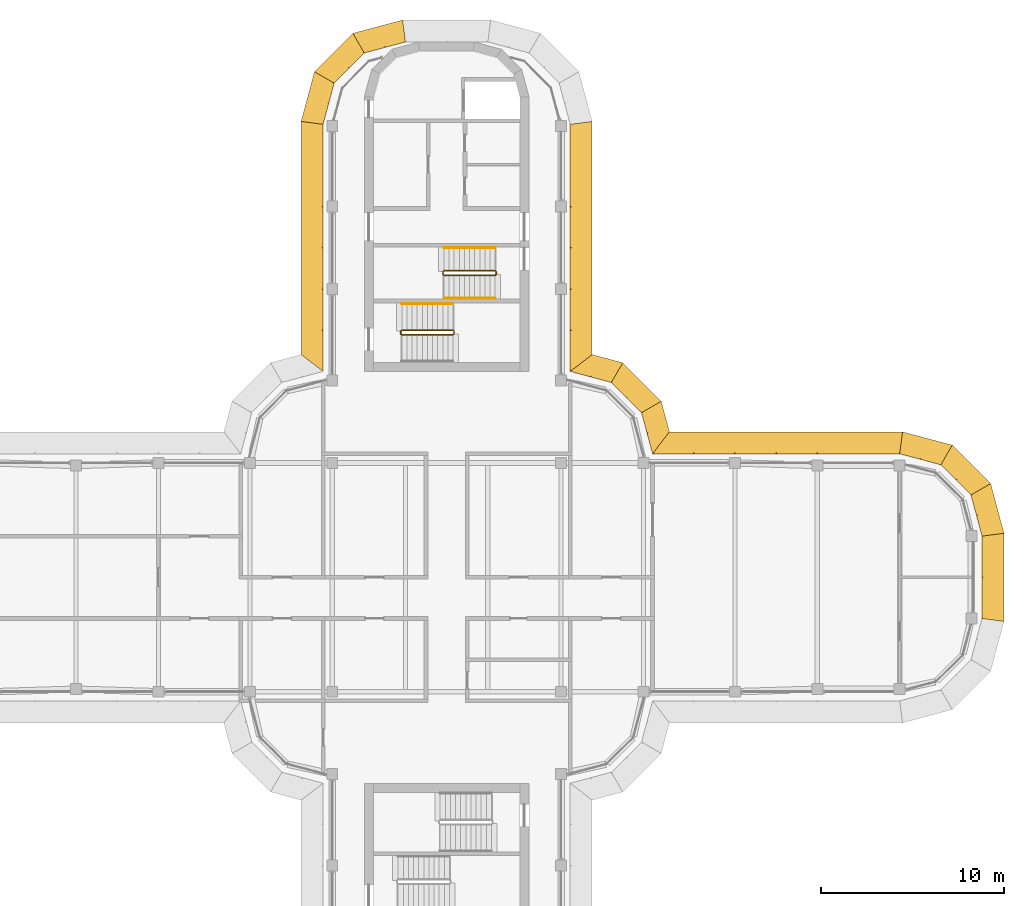
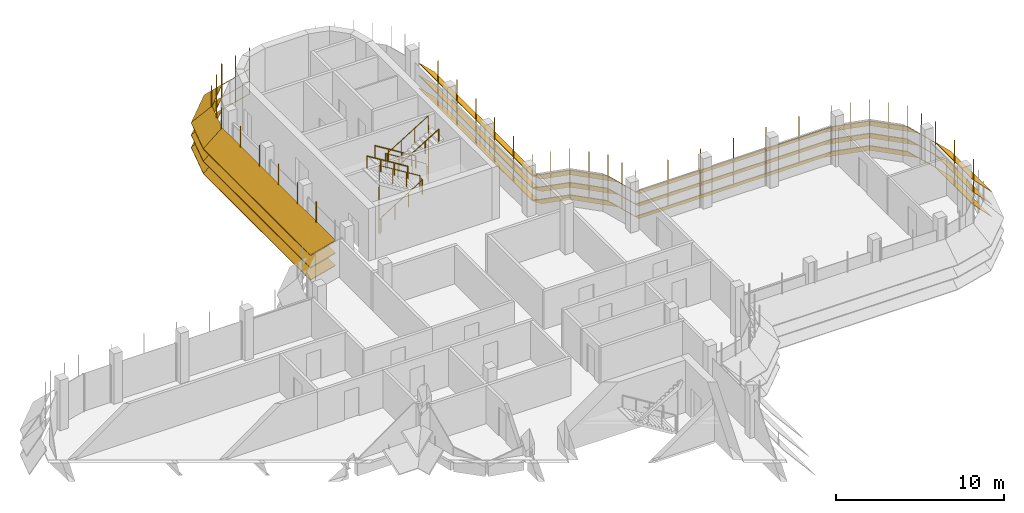
# One storey, part 18 of 19: 7 shading devices, 5 railings.
"""IFC4 building model written with IfcOpenShell, lengths in metres."""

from ifc_helpers import new_model, si_unit, direction, frame, origin, origin_2d, place, context, subcontext, project, spatial, polyline, circle, outline, extrude, faceted_brep, source, transform, mapped, material, type_object, element, save


model = new_model("IFC4")

# Units and contexts
model_context = context("Model", 3, precision=1e-05, world=origin(), true_north=direction((0.0, 1.0)))
body_context = subcontext(model_context, "Body", "Model", "MODEL_VIEW")
ifc_project = project(units=[si_unit("LENGTHUNIT", "METRE"), si_unit("AREAUNIT", "SQUARE_METRE"), si_unit("VOLUMEUNIT", "CUBIC_METRE"), si_unit("PLANEANGLEUNIT", "RADIAN"), si_unit("MASSUNIT", "GRAM", prefix="KILO")], contexts=[model_context])

# Site, building, storey
site_placement = place(None, origin())
site = spatial("IfcSite", under=ifc_project, at=site_placement, CompositionType="ELEMENT")
building_placement = place(site_placement, origin())
building = spatial("IfcBuilding", under=site, at=building_placement, Name="Zarbagh Exchange Tower", CompositionType="ELEMENT")
storey_placement = place(building_placement, frame((0.0, 0.0, 280.199951171875)))
storey = spatial("IfcBuildingStorey", under=building, at=storey_placement, Name="L69", CompositionType="ELEMENT", Elevation=280.199951171875)

# Railings
ifc_material_1 = material(Name="Stainless steel", Category="steel")
railing_type_1 = type_object("IfcRailingType", Name="Stair guard 1100 mm", PredefinedType="GUARDRAIL", material=ifc_material_1)
railing_1_placement = place(storey_placement, frame((2.64990234375, 16.75, 0.1728515625)))
element("IfcRailing", 1, at=railing_1_placement, inside=storey, type_object=railing_type_1, Name="ST1 stair guard 1", PredefinedType="GUARDRAIL", context=body_context, shape_type="SweptSolid", body=[
    extrude(circle(Radius=0.02392578125, at=origin_2d()), frame((0.0, 0.0, 1.076171875), z_axis=(-0.851069175582, 0.0, 0.525053576669), x_axis=(0.0, -1.0, 0.0)), (0.0, 0.0, 1.0), 3.289794921875),
    extrude(circle(Radius=0.02392578125, at=origin_2d()), frame((-2.7998046875, 0.0, 2.80322265625), z_axis=(-0.707106781187, -0.707106781187, 0.0), x_axis=(0.707106781187, -0.707106781187, 0.0)), (0.0, 0.0, 1.0), 0.07080078125),
    extrude(circle(Radius=0.02392578125, at=origin_2d()), frame((-2.849853515625, -0.050048828125, 2.80322265625), z_axis=(0.0, -1.0, 0.0), x_axis=(1.0, 0.0, 0.0)), (0.0, 0.0, 1.0), 0.14990234375),
    extrude(circle(Radius=0.02392578125, at=origin_2d()), frame((-2.849853515625, -0.199951171875, 2.80322265625), z_axis=(0.268277960024, -0.268277960024, 0.925231793839), x_axis=(0.707106781187, 0.707106781187, 0.0)), (0.0, 0.0, 1.0), 0.1865234375),
    extrude(circle(Radius=0.02392578125, at=origin_2d()), frame((-2.7998046875, -0.25, 2.97607421875), z_axis=(0.851069175582, 0.0, 0.525053576669), x_axis=(0.0, 1.0, 0.0)), (0.0, 0.0, 1.0), 3.289794921875),
    extrude(circle(Radius=0.02392578125, at=origin_2d()), frame((0.0, -0.25, 4.703125), z_axis=(0.013168290981, 0.013168290981, -0.999826581076), x_axis=(-0.707106781187, 0.707106781187, 0.0)), (0.0, 0.0, 1.0), 3.80078125),
    extrude(circle(Radius=0.02392578125, at=origin_2d()), frame((0.050048828125, -0.199951171875, 0.9033203125), z_axis=(0.0, 1.0, 0.0), x_axis=(-1.0, 0.0, 0.0)), (0.0, 0.0, 1.0), 0.14990234375),
    extrude(circle(Radius=0.02099609375, at=origin_2d()), origin(), (0.0, 0.0, 1.0), 1.052001953125),
    extrude(circle(Radius=0.02099609375, at=origin_2d()), frame((-0.933349609375, 0.0, 0.57568359375)), (0.0, 0.0, 1.0), 1.052001953125),
    extrude(circle(Radius=0.02099609375, at=origin_2d()), frame((-1.866455078125, 0.0, 1.151611328125)), (0.0, 0.0, 1.0), 1.052001953125),
    extrude(circle(Radius=0.02099609375, at=origin_2d()), frame((-2.7998046875, 0.0, 1.727294921875)), (0.0, 0.0, 1.0), 1.052001953125),
    extrude(circle(Radius=0.02099609375, at=origin_2d()), frame((-2.849853515625, -0.050048828125, 1.727294921875)), (0.0, 0.0, 1.0), 1.052001953125),
    extrude(circle(Radius=0.02099609375, at=origin_2d()), frame((-2.849853515625, -0.199951171875, 1.727294921875)), (0.0, 0.0, 1.0), 1.052001953125),
    extrude(circle(Radius=0.02099609375, at=origin_2d()), frame((-2.7998046875, -0.25, 1.89990234375)), (0.0, 0.0, 1.0), 1.052001953125),
    extrude(circle(Radius=0.02099609375, at=origin_2d()), frame((-1.866455078125, -0.25, 2.4755859375)), (0.0, 0.0, 1.0), 1.052001953125),
    extrude(circle(Radius=0.02099609375, at=origin_2d()), frame((-0.933349609375, -0.25, 3.051513671875)), (0.0, 0.0, 1.0), 1.052001953125),
    extrude(circle(Radius=0.02099609375, at=origin_2d()), frame((0.0, -0.25, 3.627197265625)), (0.0, 0.0, 1.0), 1.052001953125),
    extrude(circle(Radius=0.02099609375, at=origin_2d()), frame((0.012451171875, -0.237548828125, 2.67724609375)), (0.0, 0.0, 1.0), 1.052001953125),
    extrude(circle(Radius=0.02099609375, at=origin_2d()), frame((0.02490234375, -0.22509765625, 1.72705078125)), (0.0, 0.0, 1.0), 1.052001953125),
    extrude(circle(Radius=0.02099609375, at=origin_2d()), frame((0.03759765625, -0.21240234375, 0.777099609375)), (0.0, 0.0, 1.0), 1.052001953125),
    extrude(circle(Radius=0.02099609375, at=origin_2d()), frame((0.050048828125, -0.199951171875, -0.1728515625)), (0.0, 0.0, 1.0), 1.052001953125),
    extrude(circle(Radius=0.02099609375, at=origin_2d()), frame((0.050048828125, -0.050048828125, -0.1728515625)), (0.0, 0.0, 1.0), 1.052001953125),
])
railing_2_placement = place(storey_placement, frame((0.35009765625, 13.5, 2.07275390625)))
element("IfcRailing", 2, at=railing_2_placement, inside=storey, type_object=railing_type_1, Name="ST2 stair guard 1", PredefinedType="GUARDRAIL", context=body_context, shape_type="SweptSolid", body=[
    extrude(circle(Radius=0.02392578125, at=origin_2d()), frame((0.0, 0.0, 1.076171875), z_axis=(-0.851089632645, 0.0, 0.525020415988), x_axis=(0.0, -1.0, 0.0)), (0.0, 0.0, 1.0), 3.2900390625),
    extrude(circle(Radius=0.02392578125, at=origin_2d()), frame((-2.800048828125, 0.0, 2.80322265625), z_axis=(-0.013168290981, -0.013168290981, -0.999826581076), x_axis=(0.707106781187, -0.707106781187, 0.0)), (0.0, 0.0, 1.0), 3.80078125),
    extrude(circle(Radius=0.02392578125, at=origin_2d()), frame((-2.85009765625, -0.050048828125, -0.99658203125), z_axis=(0.0, -1.0, 0.0), x_axis=(1.0, 0.0, 0.0)), (0.0, 0.0, 1.0), 0.14990234375),
    extrude(circle(Radius=0.02392578125, at=origin_2d()), frame((-2.85009765625, -0.199951171875, -0.99658203125), z_axis=(0.267953482034, -0.267953482034, 0.925419830635), x_axis=(0.707106781187, 0.707106781187, 0.0)), (0.0, 0.0, 1.0), 0.186767578125),
    extrude(circle(Radius=0.02392578125, at=origin_2d()), frame((-2.800048828125, -0.25, -0.82373046875), z_axis=(0.851089632645, 0.0, 0.525020415988), x_axis=(0.0, 1.0, 0.0)), (0.0, 0.0, 1.0), 3.2900390625),
    extrude(circle(Radius=0.02392578125, at=origin_2d()), frame((0.0, -0.25, 0.9033203125), z_axis=(0.705375805398, 0.708833529934, 0.0), x_axis=(-0.708833529934, 0.705375805398, 0.0)), (0.0, 0.0, 1.0), 0.070556640625),
    extrude(circle(Radius=0.02392578125, at=origin_2d()), frame((0.0498046875, -0.199951171875, 0.9033203125), z_axis=(0.0, 1.0, 0.0), x_axis=(-1.0, 0.0, 0.0)), (0.0, 0.0, 1.0), 0.14990234375),
    extrude(circle(Radius=0.02099609375, at=origin_2d()), origin(), (0.0, 0.0, 1.0), 1.052001953125),
    extrude(circle(Radius=0.02099609375, at=origin_2d()), frame((-0.933349609375, 0.0, 0.57568359375)), (0.0, 0.0, 1.0), 1.052001953125),
    extrude(circle(Radius=0.02099609375, at=origin_2d()), frame((-1.86669921875, 0.0, 1.151611328125)), (0.0, 0.0, 1.0), 1.052001953125),
    extrude(circle(Radius=0.02099609375, at=origin_2d()), frame((-2.800048828125, 0.0, 1.727294921875)), (0.0, 0.0, 1.0), 1.052001953125),
    extrude(circle(Radius=0.02099609375, at=origin_2d()), frame((-2.8125, -0.012451171875, 0.77734375)), (0.0, 0.0, 1.0), 1.052001953125),
    extrude(circle(Radius=0.02099609375, at=origin_2d()), frame((-2.8251953125, -0.02490234375, -0.1728515625)), (0.0, 0.0, 1.0), 1.052001953125),
    extrude(circle(Radius=0.02099609375, at=origin_2d()), frame((-2.837646484375, -0.03759765625, -1.122802734375)), (0.0, 0.0, 1.0), 1.052001953125),
    extrude(circle(Radius=0.02099609375, at=origin_2d()), frame((-2.85009765625, -0.050048828125, -2.07275390625)), (0.0, 0.0, 1.0), 1.052001953125),
    extrude(circle(Radius=0.02099609375, at=origin_2d()), frame((-2.85009765625, -0.199951171875, -2.07275390625)), (0.0, 0.0, 1.0), 1.052001953125),
    extrude(circle(Radius=0.02099609375, at=origin_2d()), frame((-2.800048828125, -0.25, -1.89990234375)), (0.0, 0.0, 1.0), 1.052001953125),
    extrude(circle(Radius=0.02099609375, at=origin_2d()), frame((-1.86669921875, -0.25, -1.32421875)), (0.0, 0.0, 1.0), 1.052001953125),
    extrude(circle(Radius=0.02099609375, at=origin_2d()), frame((-0.933349609375, -0.25, -0.748291015625)), (0.0, 0.0, 1.0), 1.052001953125),
    extrude(circle(Radius=0.02099609375, at=origin_2d()), frame((0.0, -0.25, -0.172607421875)), (0.0, 0.0, 1.0), 1.052001953125),
    extrude(circle(Radius=0.02099609375, at=origin_2d()), frame((0.0498046875, -0.199951171875, -0.172607421875)), (0.0, 0.0, 1.0), 1.052001953125),
    extrude(circle(Radius=0.02099609375, at=origin_2d()), frame((0.0498046875, -0.050048828125, -0.172607421875)), (0.0, 0.0, 1.0), 1.052001953125),
])
railing_type_2 = type_object("IfcRailingType", Name="Stair handrail 900 mm", PredefinedType="HANDRAIL", material=ifc_material_1)
railing_3_placement = place(storey_placement, frame((2.64990234375, 18.0, 0.1728515625)))
element("IfcRailing", 3, at=railing_3_placement, inside=storey, type_object=railing_type_2, Name="ST1 stair handrail 1", PredefinedType="HANDRAIL", context=body_context, shape_type="SweptSolid", body=[
    extrude(circle(Radius=0.02392578125, at=origin_2d()), frame((0.0, 0.0, 0.8759765625), z_axis=(-0.851069175582, 0.0, 0.525053576669), x_axis=(0.0, -1.0, 0.0)), (0.0, 0.0, 1.0), 3.289794921875),
    extrude(circle(Radius=0.02099609375, at=origin_2d()), origin(), (0.0, 0.0, 1.0), 0.851806640625),
    extrude(circle(Radius=0.02099609375, at=origin_2d()), frame((-0.933349609375, 0.0, 0.57568359375)), (0.0, 0.0, 1.0), 0.851806640625),
    extrude(circle(Radius=0.02099609375, at=origin_2d()), frame((-1.866455078125, 0.0, 1.151611328125)), (0.0, 0.0, 1.0), 0.851806640625),
    extrude(circle(Radius=0.02099609375, at=origin_2d()), frame((-2.7998046875, 0.0, 1.727294921875)), (0.0, 0.0, 1.0), 0.851806640625),
])
railing_4_placement = place(storey_placement, frame((-0.14990234375, 15.25, 2.07275390625)))
element("IfcRailing", 4, at=railing_4_placement, inside=storey, type_object=railing_type_2, Name="ST1 stair handrail 2", PredefinedType="HANDRAIL", context=body_context, shape_type="SweptSolid", body=[
    extrude(circle(Radius=0.02392578125, at=origin_2d()), frame((0.0, 0.0, 0.8759765625), z_axis=(0.851069175582, 0.0, 0.525053576669), x_axis=(0.0, 1.0, 0.0)), (0.0, 0.0, 1.0), 3.289794921875),
    extrude(circle(Radius=0.02099609375, at=origin_2d()), origin(), (0.0, 0.0, 1.0), 0.851806640625),
    extrude(circle(Radius=0.02099609375, at=origin_2d()), frame((0.933349609375, 0.0, 0.57568359375)), (0.0, 0.0, 1.0), 0.851806640625),
    extrude(circle(Radius=0.02099609375, at=origin_2d()), frame((1.866455078125, 0.0, 1.151611328125)), (0.0, 0.0, 1.0), 0.851806640625),
    extrude(circle(Radius=0.02099609375, at=origin_2d()), frame((2.7998046875, 0.0, 1.727294921875)), (0.0, 0.0, 1.0), 0.851806640625),
])
railing_5_placement = place(storey_placement, frame((0.35009765625, 14.949951171875, 2.07275390625)))
element("IfcRailing", 5, at=railing_5_placement, inside=storey, type_object=railing_type_2, Name="ST2 stair handrail 2", PredefinedType="HANDRAIL", context=body_context, shape_type="SweptSolid", body=[
    extrude(circle(Radius=0.02392578125, at=origin_2d()), frame((0.0, 0.0, 0.8759765625), z_axis=(-0.851089632645, 0.0, 0.525020415988), x_axis=(0.0, -1.0, 0.0)), (0.0, 0.0, 1.0), 3.2900390625),
    extrude(circle(Radius=0.02099609375, at=origin_2d()), origin(), (0.0, 0.0, 1.0), 0.851806640625),
    extrude(circle(Radius=0.02099609375, at=origin_2d()), frame((-0.933349609375, 0.0, 0.57568359375)), (0.0, 0.0, 1.0), 0.851806640625),
    extrude(circle(Radius=0.02099609375, at=origin_2d()), frame((-1.86669921875, 0.0, 1.151611328125)), (0.0, 0.0, 1.0), 0.851806640625),
    extrude(circle(Radius=0.02099609375, at=origin_2d()), frame((-2.800048828125, 0.0, 1.727294921875)), (0.0, 0.0, 1.0), 0.851806640625),
])

# Shading devices
ifc_material_2 = material(Name="Anodised aluminium blades and brackets", Category="aluminium")
shading_device_type = type_object("IfcShadingDeviceType", Name="SUNSHADE louvre band, 45 degree blades", PredefinedType="JALOUSIE", material=ifc_material_2)
shared_shape_1 = source(origin(), body_context, "Body", "Brep", [
    faceted_brep([(0.0, 0.0, 0.0), (0.0, 0.0, -0.056640625), (-0.157958984375, -1.199951171875, -1.256591796875), (-0.157958984375, -1.199951171875, -1.199951171875), (2.65087890625, -1.199951171875, -1.199951171875), (2.65087890625, -1.199951171875, -1.256591796875), (2.329345703125, 0.0, -0.056640625), (2.329345703125, 0.0, 0.0)], [[[0, 1, 2, 3]], [[4, 5, 6, 7]], [[0, 7, 6, 1]], [[1, 6, 5, 2]], [[2, 5, 4, 3]], [[3, 4, 7, 0]]]),
])
shared_shape_2 = source(origin(), body_context, "Body", "Brep", [
    faceted_brep([(0.0, 0.0, 0.0), (0.0, 0.0, -0.056640625), (-0.321533203125, -1.199951171875, -1.256591796875), (-0.321533203125, -1.199951171875, -1.199951171875), (2.65087890625, -1.199951171875, -1.199951171875), (2.65087890625, -1.199951171875, -1.256591796875), (2.329345703125, 0.0, -0.056640625), (2.329345703125, 0.0, 0.0)], [[[0, 1, 2, 3]], [[4, 5, 6, 7]], [[0, 7, 6, 1]], [[1, 6, 5, 2]], [[2, 5, 4, 3]], [[3, 4, 7, 0]]]),
])
shared_shape_3 = source(origin(), body_context, "Body", "Brep", [
    faceted_brep([(0.0, 0.0, 0.0), (0.0, 0.0, -0.056640625), (-0.321533203125, -1.199951171875, -1.256591796875), (-0.321533203125, -1.199951171875, -1.199951171875), (2.4873046875, -1.199951171875, -1.199951171875), (2.4873046875, -1.199951171875, -1.256591796875), (2.329345703125, 0.0, -0.056640625), (2.329345703125, 0.0, 0.0)], [[[0, 1, 2, 3]], [[4, 5, 6, 7]], [[0, 7, 6, 1]], [[1, 6, 5, 2]], [[2, 5, 4, 3]], [[3, 4, 7, 0]]]),
])
shared_shape_4 = source(origin(), body_context, "Body", "SweptSolid", [
    extrude(outline(polyline([(0.0, -0.012451171875), (0.06005859375, -0.012451171875), (0.06005859375, 0.012451171875), (0.0, 0.012451171875), (0.0, -0.012451171875)])), origin(), (0.0, 0.0, 1.0), 3.366455078125),
])
placement = place(storey_placement, origin())
element("IfcShadingDevice", 6, at=placement, inside=storey, type_object=shading_device_type, Name="SS53 sunshade band", PredefinedType="JALOUSIE", context=body_context, shape_type="MappedRepresentation", body=[
    mapped(shared_shape_1, transform((29.25, 2.25, 2.300048828125), x_axis=(-0.258824779902, 0.965924289636, 0.0), y_axis=(-0.965924289636, -0.258824779902, 0.0), z_axis=(0.0, 0.0, 1.0))),
    mapped(shared_shape_1, transform((29.25, 2.25, 1.400146484375), x_axis=(-0.258824779902, 0.965924289636, 0.0), y_axis=(-0.965924289636, -0.258824779902, 0.0), z_axis=(0.0, 0.0, 1.0))),
    mapped(shared_shape_1, transform((29.25, 2.25, 0.5), x_axis=(-0.258824779902, 0.965924289636, 0.0), y_axis=(-0.965924289636, -0.258824779902, 0.0), z_axis=(0.0, 0.0, 1.0))),
    mapped(shared_shape_2, transform((28.647216796875, 4.5, 2.300048828125), x_axis=(-0.707106781187, 0.707106781187, 0.0), y_axis=(-0.707106781187, -0.707106781187, 0.0), z_axis=(0.0, 0.0, 1.0))),
    mapped(shared_shape_2, transform((28.647216796875, 4.5, 1.400146484375), x_axis=(-0.707106781187, 0.707106781187, 0.0), y_axis=(-0.707106781187, -0.707106781187, 0.0), z_axis=(0.0, 0.0, 1.0))),
    mapped(shared_shape_2, transform((28.647216796875, 4.5, 0.5), x_axis=(-0.707106781187, 0.707106781187, 0.0), y_axis=(-0.707106781187, -0.707106781187, 0.0), z_axis=(0.0, 0.0, 1.0))),
    mapped(shared_shape_3, transform((27.0, 6.147216796875, 2.300048828125), x_axis=(-0.965924289636, 0.258824779902, 0.0), y_axis=(-0.258824779902, -0.965924289636, 0.0), z_axis=(0.0, 0.0, 1.0))),
    mapped(shared_shape_3, transform((27.0, 6.147216796875, 1.400146484375), x_axis=(-0.965924289636, 0.258824779902, 0.0), y_axis=(-0.258824779902, -0.965924289636, 0.0), z_axis=(0.0, 0.0, 1.0))),
    mapped(shared_shape_3, transform((27.0, 6.147216796875, 0.5), x_axis=(-0.965924289636, 0.258824779902, 0.0), y_axis=(-0.258824779902, -0.965924289636, 0.0), z_axis=(0.0, 0.0, 1.0))),
    mapped(shared_shape_4, transform((29.25, 2.25, 0.41357421875), x_axis=(0.991444457092, 0.130529263012, 0.0), y_axis=(-0.130529263012, 0.991444457092, 0.0), z_axis=(0.0, 0.0, 1.0))),
    mapped(shared_shape_4, transform((28.948486328125, 3.375, 0.41357421875), x_axis=(0.96592421511, 0.258825058029, 0.0), y_axis=(-0.258825058029, 0.96592421511, 0.0), z_axis=(0.0, 0.0, 1.0))),
    mapped(shared_shape_4, transform((28.647216796875, 4.5, 0.41357421875), x_axis=(0.866023812018, 0.50000275701, 0.0), y_axis=(-0.50000275701, 0.866023812018, 0.0), z_axis=(0.0, 0.0, 1.0))),
    mapped(shared_shape_4, transform((27.823486328125, 5.323486328125, 0.41357421875), x_axis=(0.707106781187, 0.707106781187, 0.0), y_axis=(-0.707106781187, 0.707106781187, 0.0), z_axis=(0.0, 0.0, 1.0))),
    mapped(shared_shape_4, transform((27.0, 6.147216796875, 0.41357421875), x_axis=(0.50000275701, 0.866023812018, 0.0), y_axis=(-0.866023812018, 0.50000275701, 0.0), z_axis=(0.0, 0.0, 1.0))),
    mapped(shared_shape_4, transform((25.875, 6.448486328125, 0.41357421875), x_axis=(0.258825058029, 0.96592421511, 0.0), y_axis=(-0.96592421511, 0.258825058029, 0.0), z_axis=(0.0, 0.0, 1.0))),
])
element("IfcShadingDevice", 7, at=placement, inside=storey, type_object=shading_device_type, Name="SS48 sunshade band", PredefinedType="JALOUSIE", context=body_context, shape_type="MappedRepresentation", body=[
    mapped(shared_shape_1, transform((-2.25, 29.25, 2.300048828125), x_axis=(-0.965924289636, -0.258824779902, 0.0), y_axis=(0.258824779902, -0.965924289636, 0.0), z_axis=(0.0, 0.0, 1.0))),
    mapped(shared_shape_1, transform((-2.25, 29.25, 1.400146484375), x_axis=(-0.965924289636, -0.258824779902, 0.0), y_axis=(0.258824779902, -0.965924289636, 0.0), z_axis=(0.0, 0.0, 1.0))),
    mapped(shared_shape_1, transform((-2.25, 29.25, 0.5), x_axis=(-0.965924289636, -0.258824779902, 0.0), y_axis=(0.258824779902, -0.965924289636, 0.0), z_axis=(0.0, 0.0, 1.0))),
    mapped(shared_shape_2, transform((-4.5, 28.647216796875, 2.300048828125), x_axis=(-0.707106781187, -0.707106781187, 0.0), y_axis=(0.707106781187, -0.707106781187, 0.0), z_axis=(0.0, 0.0, 1.0))),
    mapped(shared_shape_2, transform((-4.5, 28.647216796875, 1.400146484375), x_axis=(-0.707106781187, -0.707106781187, 0.0), y_axis=(0.707106781187, -0.707106781187, 0.0), z_axis=(0.0, 0.0, 1.0))),
    mapped(shared_shape_2, transform((-4.5, 28.647216796875, 0.5), x_axis=(-0.707106781187, -0.707106781187, 0.0), y_axis=(0.707106781187, -0.707106781187, 0.0), z_axis=(0.0, 0.0, 1.0))),
    mapped(shared_shape_3, transform((-6.147216796875, 27.0, 2.300048828125), x_axis=(-0.258824779902, -0.965924289636, 0.0), y_axis=(0.965924289636, -0.258824779902, 0.0), z_axis=(0.0, 0.0, 1.0))),
    mapped(shared_shape_3, transform((-6.147216796875, 27.0, 1.400146484375), x_axis=(-0.258824779902, -0.965924289636, 0.0), y_axis=(0.965924289636, -0.258824779902, 0.0), z_axis=(0.0, 0.0, 1.0))),
    mapped(shared_shape_3, transform((-6.147216796875, 27.0, 0.5), x_axis=(-0.258824779902, -0.965924289636, 0.0), y_axis=(0.965924289636, -0.258824779902, 0.0), z_axis=(0.0, 0.0, 1.0))),
    mapped(shared_shape_4, transform((-2.25, 29.25, 0.41357421875), x_axis=(-0.130529263012, 0.991444457092, 0.0), y_axis=(-0.991444457092, -0.130529263012, 0.0), z_axis=(0.0, 0.0, 1.0))),
    mapped(shared_shape_4, transform((-3.375, 28.948486328125, 0.41357421875), x_axis=(-0.258825058029, 0.96592421511, 0.0), y_axis=(-0.96592421511, -0.258825058029, 0.0), z_axis=(0.0, 0.0, 1.0))),
    mapped(shared_shape_4, transform((-4.5, 28.647216796875, 0.41357421875), x_axis=(-0.50000275701, 0.866023812018, 0.0), y_axis=(-0.866023812018, -0.50000275701, 0.0), z_axis=(0.0, 0.0, 1.0))),
    mapped(shared_shape_4, transform((-5.323486328125, 27.823486328125, 0.41357421875), x_axis=(-0.707106781187, 0.707106781187, 0.0), y_axis=(-0.707106781187, -0.707106781187, 0.0), z_axis=(0.0, 0.0, 1.0))),
    mapped(shared_shape_4, transform((-6.147216796875, 27.0, 0.41357421875), x_axis=(-0.866023812018, 0.50000275701, 0.0), y_axis=(-0.50000275701, -0.866023812018, 0.0), z_axis=(0.0, 0.0, 1.0))),
    mapped(shared_shape_4, transform((-6.448486328125, 25.875, 0.41357421875), x_axis=(-0.96592421511, 0.258825058029, 0.0), y_axis=(-0.258825058029, -0.96592421511, 0.0), z_axis=(0.0, 0.0, 1.0))),
])
shared_shape_5 = source(origin(), body_context, "Body", "Brep", [
    faceted_brep([(0.0, 0.0, 0.0), (0.0, 0.0, -0.056640625), (0.9208984375, -1.199951171875, -1.256591796875), (0.9208984375, -1.199951171875, -1.199951171875), (2.65087890625, -1.199951171875, -1.199951171875), (2.65087890625, -1.199951171875, -1.256591796875), (2.329345703125, 0.0, -0.056640625), (2.329345703125, 0.0, 0.0)], [[[0, 1, 2, 3]], [[4, 5, 6, 7]], [[0, 7, 6, 1]], [[1, 6, 5, 2]], [[2, 5, 4, 3]], [[3, 4, 7, 0]]]),
])
shared_shape_6 = source(origin(), body_context, "Body", "Brep", [
    faceted_brep([(0.0, 0.0, 0.0), (0.0, 0.0, -0.056640625), (-0.321533203125, -1.199951171875, -1.256591796875), (-0.321533203125, -1.199951171875, -1.199951171875), (1.40869140625, -1.199951171875, -1.199951171875), (1.40869140625, -1.199951171875, -1.256591796875), (2.329345703125, 0.0, -0.056640625), (2.329345703125, 0.0, 0.0)], [[[0, 1, 2, 3]], [[4, 5, 6, 7]], [[0, 7, 6, 1]], [[1, 6, 5, 2]], [[2, 5, 4, 3]], [[3, 4, 7, 0]]]),
])
element("IfcShadingDevice", 8, at=placement, inside=storey, type_object=shading_device_type, Name="SS09 sunshade band", PredefinedType="JALOUSIE", context=body_context, shape_type="MappedRepresentation", body=[
    mapped(shared_shape_5, transform((11.25, 6.75, 2.300048828125), x_axis=(-0.258824779902, 0.965924289636, 0.0), y_axis=(-0.965924289636, -0.258824779902, 0.0), z_axis=(0.0, 0.0, 1.0))),
    mapped(shared_shape_5, transform((11.25, 6.75, 1.400146484375), x_axis=(-0.258824779902, 0.965924289636, 0.0), y_axis=(-0.965924289636, -0.258824779902, 0.0), z_axis=(0.0, 0.0, 1.0))),
    mapped(shared_shape_5, transform((11.25, 6.75, 0.5), x_axis=(-0.258824779902, 0.965924289636, 0.0), y_axis=(-0.965924289636, -0.258824779902, 0.0), z_axis=(0.0, 0.0, 1.0))),
    mapped(shared_shape_2, transform((10.647216796875, 9.0, 2.300048828125), x_axis=(-0.707106781187, 0.707106781187, 0.0), y_axis=(-0.707106781187, -0.707106781187, 0.0), z_axis=(0.0, 0.0, 1.0))),
    mapped(shared_shape_2, transform((10.647216796875, 9.0, 1.400146484375), x_axis=(-0.707106781187, 0.707106781187, 0.0), y_axis=(-0.707106781187, -0.707106781187, 0.0), z_axis=(0.0, 0.0, 1.0))),
    mapped(shared_shape_2, transform((10.647216796875, 9.0, 0.5), x_axis=(-0.707106781187, 0.707106781187, 0.0), y_axis=(-0.707106781187, -0.707106781187, 0.0), z_axis=(0.0, 0.0, 1.0))),
    mapped(shared_shape_6, transform((9.0, 10.647216796875, 2.300048828125), x_axis=(-0.965924289636, 0.258824779902, 0.0), y_axis=(-0.258824779902, -0.965924289636, 0.0), z_axis=(0.0, 0.0, 1.0))),
    mapped(shared_shape_6, transform((9.0, 10.647216796875, 1.400146484375), x_axis=(-0.965924289636, 0.258824779902, 0.0), y_axis=(-0.258824779902, -0.965924289636, 0.0), z_axis=(0.0, 0.0, 1.0))),
    mapped(shared_shape_6, transform((9.0, 10.647216796875, 0.5), x_axis=(-0.965924289636, 0.258824779902, 0.0), y_axis=(-0.258824779902, -0.965924289636, 0.0), z_axis=(0.0, 0.0, 1.0))),
    mapped(shared_shape_4, transform((11.25, 6.75, 0.41357421875), x_axis=(0.608758892, 0.793355287, 0.0), y_axis=(-0.793355287, 0.608758892, 0.0), z_axis=(0.0, 0.0, 1.0))),
    mapped(shared_shape_4, transform((10.948486328125, 7.875, 0.41357421875), x_axis=(0.96592421511, 0.258825058029, 0.0), y_axis=(-0.258825058029, 0.96592421511, 0.0), z_axis=(0.0, 0.0, 1.0))),
    mapped(shared_shape_4, transform((10.647216796875, 9.0, 0.41357421875), x_axis=(0.866023812018, 0.50000275701, 0.0), y_axis=(-0.50000275701, 0.866023812018, 0.0), z_axis=(0.0, 0.0, 1.0))),
    mapped(shared_shape_4, transform((9.823486328125, 9.823486328125, 0.41357421875), x_axis=(0.707106781187, 0.707106781187, 0.0), y_axis=(-0.707106781187, 0.707106781187, 0.0), z_axis=(0.0, 0.0, 1.0))),
    mapped(shared_shape_4, transform((9.0, 10.647216796875, 0.41357421875), x_axis=(0.50000275701, 0.866023812018, 0.0), y_axis=(-0.866023812018, 0.50000275701, 0.0), z_axis=(0.0, 0.0, 1.0))),
    mapped(shared_shape_4, transform((7.875, 10.948486328125, 0.41357421875), x_axis=(0.258825058029, 0.96592421511, 0.0), y_axis=(-0.96592421511, 0.258825058029, 0.0), z_axis=(0.0, 0.0, 1.0))),
])
shared_shape_7 = source(origin(), body_context, "Body", "Brep", [
    faceted_brep([(0.0, 0.0, 0.0), (0.0, 0.0, -0.056640625), (-0.157958984375, -1.199951171875, -1.256591796875), (-0.157958984375, -1.199951171875, -1.199951171875), (4.657958984375, -1.199951171875, -1.199951171875), (4.657958984375, -1.199951171875, -1.256591796875), (4.5, 0.0, -0.056640625), (4.5, 0.0, 0.0)], [[[0, 1, 2, 3]], [[4, 5, 6, 7]], [[0, 7, 6, 1]], [[1, 6, 5, 2]], [[2, 5, 4, 3]], [[3, 4, 7, 0]]]),
])
element("IfcShadingDevice", 9, at=placement, inside=storey, type_object=shading_device_type, Name="SS52 sunshade band", PredefinedType="JALOUSIE", context=body_context, shape_type="MappedRepresentation", body=[
    mapped(shared_shape_7, transform((29.25, -2.25, 2.300048828125), x_axis=(0.0, 1.0, 0.0), y_axis=(-1.0, 0.0, 0.0), z_axis=(0.0, 0.0, 1.0))),
    mapped(shared_shape_7, transform((29.25, -2.25, 1.400146484375), x_axis=(0.0, 1.0, 0.0), y_axis=(-1.0, 0.0, 0.0), z_axis=(0.0, 0.0, 1.0))),
    mapped(shared_shape_7, transform((29.25, -2.25, 0.5), x_axis=(0.0, 1.0, 0.0), y_axis=(-1.0, 0.0, 0.0), z_axis=(0.0, 0.0, 1.0))),
    mapped(shared_shape_4, transform((29.25, -2.25, 0.41357421875), x_axis=(0.991444457092, -0.130529263012, 0.0), y_axis=(0.130529263012, 0.991444457092, 0.0), z_axis=(0.0, 0.0, 1.0))),
    mapped(shared_shape_4, transform((29.25, 0.0, 0.41357421875), x_axis=(1.0, 0.0, 0.0), y_axis=(0.0, 1.0, 0.0), z_axis=(0.0, 0.0, 1.0))),
])
shared_shape_8 = source(origin(), body_context, "Body", "Brep", [
    faceted_brep([(0.0, 0.0, 0.0), (0.0, 0.0, -0.056640625), (-0.157958984375, -1.199951171875, -1.256591796875), (-0.157958984375, -1.199951171875, -1.199951171875), (12.5791015625, -1.199951171875, -1.199951171875), (12.5791015625, -1.199951171875, -1.256591796875), (13.5, 0.0, -0.056640625), (13.5, 0.0, 0.0)], [[[0, 1, 2, 3]], [[4, 5, 6, 7]], [[0, 7, 6, 1]], [[1, 6, 5, 2]], [[2, 5, 4, 3]], [[3, 4, 7, 0]]]),
])
element("IfcShadingDevice", 10, at=placement, inside=storey, type_object=shading_device_type, Name="SS54 sunshade band", PredefinedType="JALOUSIE", context=body_context, shape_type="MappedRepresentation", body=[
    mapped(shared_shape_8, transform((24.75, 6.75, 2.300048828125), x_axis=(-1.0, 0.0, 0.0), y_axis=(0.0, -1.0, 0.0), z_axis=(0.0, 0.0, 1.0))),
    mapped(shared_shape_8, transform((24.75, 6.75, 1.400146484375), x_axis=(-1.0, 0.0, 0.0), y_axis=(0.0, -1.0, 0.0), z_axis=(0.0, 0.0, 1.0))),
    mapped(shared_shape_8, transform((24.75, 6.75, 0.5), x_axis=(-1.0, 0.0, 0.0), y_axis=(0.0, -1.0, 0.0), z_axis=(0.0, 0.0, 1.0))),
    mapped(shared_shape_4, transform((24.75, 6.75, 0.41357421875), x_axis=(0.130529263012, 0.991444457092, 0.0), y_axis=(-0.991444457092, 0.130529263012, 0.0), z_axis=(0.0, 0.0, 1.0))),
    mapped(shared_shape_4, transform((22.5, 6.75, 0.41357421875), x_axis=(0.0, 1.0, 0.0), y_axis=(-1.0, 0.0, 0.0), z_axis=(0.0, 0.0, 1.0))),
    mapped(shared_shape_4, transform((20.25, 6.75, 0.41357421875), x_axis=(0.0, 1.0, 0.0), y_axis=(-1.0, 0.0, 0.0), z_axis=(0.0, 0.0, 1.0))),
    mapped(shared_shape_4, transform((18.0, 6.75, 0.41357421875), x_axis=(0.0, 1.0, 0.0), y_axis=(-1.0, 0.0, 0.0), z_axis=(0.0, 0.0, 1.0))),
    mapped(shared_shape_4, transform((15.75, 6.75, 0.41357421875), x_axis=(0.0, 1.0, 0.0), y_axis=(-1.0, 0.0, 0.0), z_axis=(0.0, 0.0, 1.0))),
    mapped(shared_shape_4, transform((13.5, 6.75, 0.41357421875), x_axis=(0.0, 1.0, 0.0), y_axis=(-1.0, 0.0, 0.0), z_axis=(0.0, 0.0, 1.0))),
])
shared_shape_9 = source(origin(), body_context, "Body", "Brep", [
    faceted_brep([(0.0, 0.0, 0.0), (0.0, 0.0, -0.056640625), (0.9208984375, -1.199951171875, -1.256591796875), (0.9208984375, -1.199951171875, -1.199951171875), (13.657958984375, -1.199951171875, -1.199951171875), (13.657958984375, -1.199951171875, -1.256591796875), (13.5, 0.0, -0.056640625), (13.5, 0.0, 0.0)], [[[0, 1, 2, 3]], [[4, 5, 6, 7]], [[0, 7, 6, 1]], [[1, 6, 5, 2]], [[2, 5, 4, 3]], [[3, 4, 7, 0]]]),
])
element("IfcShadingDevice", 11, at=placement, inside=storey, type_object=shading_device_type, Name="SS45 sunshade band", PredefinedType="JALOUSIE", context=body_context, shape_type="MappedRepresentation", body=[
    mapped(shared_shape_9, transform((6.75, 11.25, 2.300048828125), x_axis=(0.0, 1.0, 0.0), y_axis=(-1.0, 0.0, 0.0), z_axis=(0.0, 0.0, 1.0))),
    mapped(shared_shape_9, transform((6.75, 11.25, 1.400146484375), x_axis=(0.0, 1.0, 0.0), y_axis=(-1.0, 0.0, 0.0), z_axis=(0.0, 0.0, 1.0))),
    mapped(shared_shape_9, transform((6.75, 11.25, 0.5), x_axis=(0.0, 1.0, 0.0), y_axis=(-1.0, 0.0, 0.0), z_axis=(0.0, 0.0, 1.0))),
    mapped(shared_shape_4, transform((6.75, 11.25, 0.41357421875), x_axis=(0.793355287, 0.608758892, 0.0), y_axis=(-0.608758892, 0.793355287, 0.0), z_axis=(0.0, 0.0, 1.0))),
    mapped(shared_shape_4, transform((6.75, 13.5, 0.41357421875), x_axis=(1.0, 0.0, 0.0), y_axis=(0.0, 1.0, 0.0), z_axis=(0.0, 0.0, 1.0))),
    mapped(shared_shape_4, transform((6.75, 15.75, 0.41357421875), x_axis=(1.0, 0.0, 0.0), y_axis=(0.0, 1.0, 0.0), z_axis=(0.0, 0.0, 1.0))),
    mapped(shared_shape_4, transform((6.75, 18.0, 0.41357421875), x_axis=(1.0, 0.0, 0.0), y_axis=(0.0, 1.0, 0.0), z_axis=(0.0, 0.0, 1.0))),
    mapped(shared_shape_4, transform((6.75, 20.25, 0.41357421875), x_axis=(1.0, 0.0, 0.0), y_axis=(0.0, 1.0, 0.0), z_axis=(0.0, 0.0, 1.0))),
    mapped(shared_shape_4, transform((6.75, 22.5, 0.41357421875), x_axis=(1.0, 0.0, 0.0), y_axis=(0.0, 1.0, 0.0), z_axis=(0.0, 0.0, 1.0))),
])
element("IfcShadingDevice", 12, at=placement, inside=storey, type_object=shading_device_type, Name="SS49 sunshade band", PredefinedType="JALOUSIE", context=body_context, shape_type="MappedRepresentation", body=[
    mapped(shared_shape_8, transform((-6.75, 24.75, 2.300048828125), x_axis=(0.0, -1.0, 0.0), y_axis=(1.0, 0.0, 0.0), z_axis=(0.0, 0.0, 1.0))),
    mapped(shared_shape_8, transform((-6.75, 24.75, 1.400146484375), x_axis=(0.0, -1.0, 0.0), y_axis=(1.0, 0.0, 0.0), z_axis=(0.0, 0.0, 1.0))),
    mapped(shared_shape_8, transform((-6.75, 24.75, 0.5), x_axis=(0.0, -1.0, 0.0), y_axis=(1.0, 0.0, 0.0), z_axis=(0.0, 0.0, 1.0))),
    mapped(shared_shape_4, transform((-6.75, 24.75, 0.41357421875), x_axis=(-0.991444457092, 0.130529263012, 0.0), y_axis=(-0.130529263012, -0.991444457092, 0.0), z_axis=(0.0, 0.0, 1.0))),
    mapped(shared_shape_4, transform((-6.75, 22.5, 0.41357421875), x_axis=(-1.0, 0.0, 0.0), y_axis=(0.0, -1.0, 0.0), z_axis=(0.0, 0.0, 1.0))),
    mapped(shared_shape_4, transform((-6.75, 20.25, 0.41357421875), x_axis=(-1.0, 0.0, 0.0), y_axis=(0.0, -1.0, 0.0), z_axis=(0.0, 0.0, 1.0))),
    mapped(shared_shape_4, transform((-6.75, 18.0, 0.41357421875), x_axis=(-1.0, 0.0, 0.0), y_axis=(0.0, -1.0, 0.0), z_axis=(0.0, 0.0, 1.0))),
    mapped(shared_shape_4, transform((-6.75, 15.75, 0.41357421875), x_axis=(-1.0, 0.0, 0.0), y_axis=(0.0, -1.0, 0.0), z_axis=(0.0, 0.0, 1.0))),
    mapped(shared_shape_4, transform((-6.75, 13.5, 0.41357421875), x_axis=(-1.0, 0.0, 0.0), y_axis=(0.0, -1.0, 0.0), z_axis=(0.0, 0.0, 1.0))),
])

save(model, "model.ifc")
